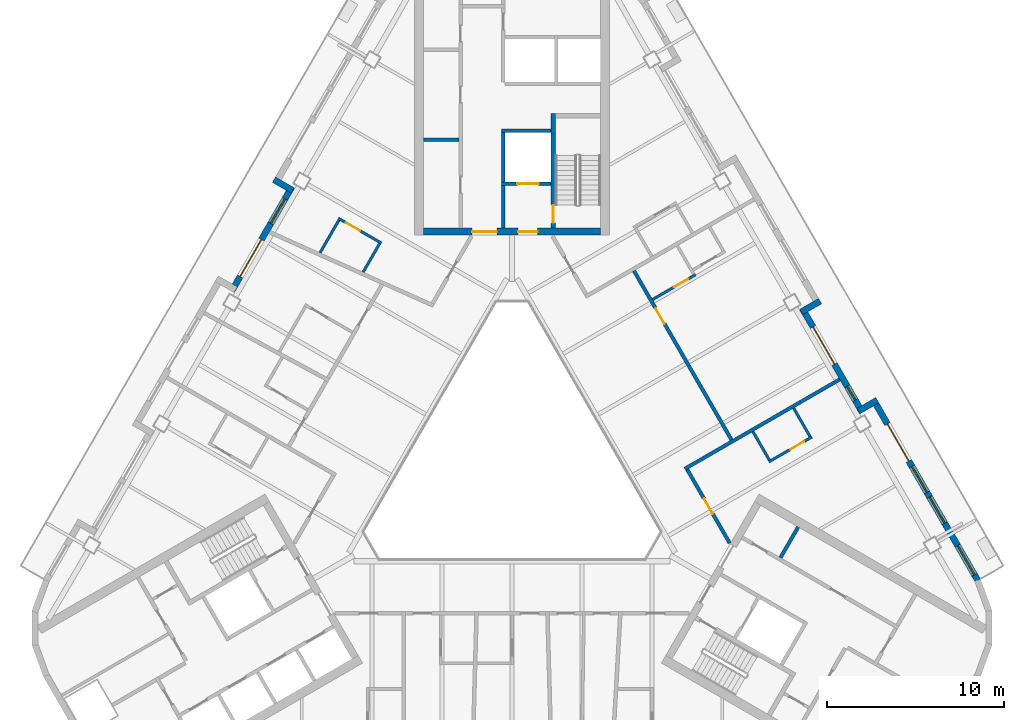
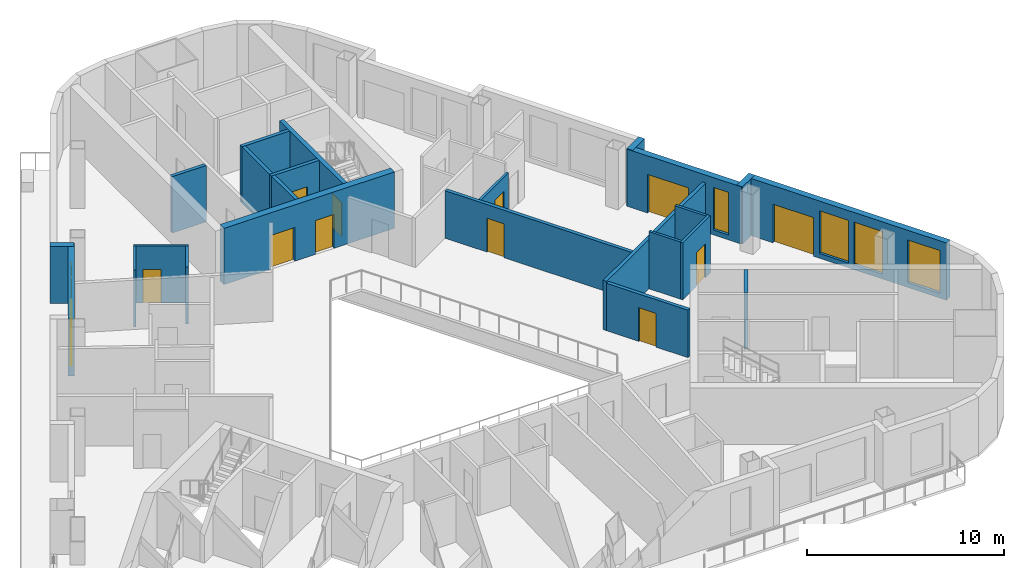
# One storey, part 6 of 14: 24 walls, 12 doors, 5 windows, 17 openings.
"""IFC4 building model written with IfcOpenShell, lengths in metres."""

from ifc_helpers import new_model, si_unit, direction, frame, frame_2d, origin, place, context, subcontext, project, spatial, rectangle, extrude, material, layer, layer_set, type_object, element, fill, save


model = new_model("IFC4")

# Units and contexts
model_context = context("Model", 3, precision=1e-05, world=origin(), true_north=direction((0.0, 1.0)))
body_context = subcontext(model_context, "Body", "Model", "MODEL_VIEW")
ifc_project = project(units=[si_unit("LENGTHUNIT", "METRE"), si_unit("AREAUNIT", "SQUARE_METRE"), si_unit("VOLUMEUNIT", "CUBIC_METRE"), si_unit("PLANEANGLEUNIT", "RADIAN"), si_unit("MASSUNIT", "GRAM", prefix="KILO")], contexts=[model_context])

# Site, building, storey
site_placement = place(None, origin())
site = spatial("IfcSite", under=ifc_project, at=site_placement, CompositionType="ELEMENT")
building_placement = place(site_placement, origin())
building = spatial("IfcBuilding", under=site, at=building_placement, Name="Apuvela Tower Hotel", CompositionType="ELEMENT")
storey_placement = place(building_placement, frame((0.0, 0.0, 216.89990234375)))
storey = spatial("IfcBuildingStorey", under=building, at=storey_placement, Name="L53", CompositionType="ELEMENT", Elevation=216.89990234375)

# Wall, openings, doors
ifc_material_1 = material(Name="Concrete C50/60", Category="concrete")
ifc_layer_1 = layer(ifc_material_1, 0.39990234375)
ifc_layer_set_1 = layer_set([ifc_layer_1], Name="COR-WALL-CORE-400")
wall_type_1 = type_object("IfcWallType", Name="COR-WALL-CORE-400", PredefinedType="SHEAR", material=ifc_layer_set_1)
wall_1_placement = place(storey_placement, frame((5.0, 13.10009765625, 0.0), z_axis=(0.0, 0.0, 1.0), x_axis=(-1.0, 0.0, 0.0)))
wall_1 = element("IfcWall", 1, at=wall_1_placement, inside=storey, type_object=wall_type_1, Name="Core wall N", PredefinedType="SHEAR", context=body_context, shape_type="SweptSolid", body=[
    extrude(rectangle(XDim=10.0, YDim=0.39990234375, at=frame_2d((5.0, 0.0))), origin(), (0.0, 0.0, 1.0), 3.5),
])
opening_1_placement = place(wall_1_placement, frame((3.550048828125, 0.0, 0.0)))
opening_1 = element("IfcOpeningElement", 2, at=opening_1_placement, cuts=wall_1, Name="Opening N-FD", PredefinedType="OPENING", context=body_context, shape_type="SweptSolid", body=[
    extrude(rectangle(XDim=1.10009765625, YDim=2.10009765625, at=frame_2d((0.550048828125, 1.050048828125))), frame((0.0, 0.2099609375, 0.0), z_axis=(0.0, -1.0, 0.0), x_axis=(1.0, 0.0, 0.0)), (0.0, 0.0, 1.0), 0.419921875),
])
opening_2_placement = place(wall_1_placement, frame((5.85009765625, 0.0, 0.0)))
opening_2 = element("IfcOpeningElement", 3, at=opening_2_placement, cuts=wall_1, Name="Opening N-GD", PredefinedType="OPENING", context=body_context, shape_type="SweptSolid", body=[
    extrude(rectangle(XDim=1.39990234375, YDim=2.10009765625, at=frame_2d((0.699951171875, 1.050048828125))), frame((0.0, 0.2099609375, 0.0), z_axis=(0.0, -1.0, 0.0), x_axis=(1.0, 0.0, 0.0)), (0.0, 0.0, 1.0), 0.419921875),
])
ifc_material_2 = material(Name="Steel fire door, powder coated", Category="steel")
door_type_1 = type_object("IfcDoorType", Name="COR-FD-1100", OperationType="NOTDEFINED", PredefinedType="DOOR", material=ifc_material_2)
door_1_placement = place(opening_1_placement, frame((1.10009765625, 0.0, 0.0), z_axis=(0.0, 0.0, 1.0), x_axis=(-1.0, 0.0, 0.0)))
door_1 = element("IfcDoor", 4, at=door_1_placement, inside=storey, type_object=door_type_1, Name="Firefighting lobby door N-FD", OperationType="SINGLE_SWING_LEFT", OverallHeight=2.10009765625, OverallWidth=1.10009765625, PredefinedType="DOOR", context=body_context, shape_type="SweptSolid", body=[
    extrude(rectangle(XDim=1.10009765625, YDim=2.10009765625, at=frame_2d((0.550048828125, 1.050048828125))), frame((0.0, 0.02490234375, 0.0), z_axis=(0.0, -1.0, 0.0), x_axis=(1.0, 0.0, 0.0)), (0.0, 0.0, 1.0), 0.050048828125),
])
fill(opening_1, door_1)
ifc_material_3 = material(Name="Glazed steel fire door", Category="steel")
door_type_2 = type_object("IfcDoorType", Name="COR-GD-1400", OperationType="DOUBLE_DOOR_SINGLE_SWING", PredefinedType="DOOR", material=ifc_material_3)
door_2_placement = place(opening_2_placement, frame((1.39990234375, 0.0, 0.0), z_axis=(0.0, 0.0, 1.0), x_axis=(-1.0, 0.0, 0.0)))
door_2 = element("IfcDoor", 5, at=door_2_placement, inside=storey, type_object=door_type_2, Name="Lift lobby door N-GD", OperationType="DOUBLE_DOOR_SINGLE_SWING", OverallHeight=2.10009765625, OverallWidth=1.39990234375, PredefinedType="DOOR", context=body_context, shape_type="SweptSolid", body=[
    extrude(rectangle(XDim=1.39990234375, YDim=2.10009765625, at=frame_2d((0.699951171875, 1.050048828125))), frame((0.0, 0.02490234375, 0.0), z_axis=(0.0, -1.0, 0.0), x_axis=(1.0, 0.0, 0.0)), (0.0, 0.0, 1.0), 0.050048828125),
])
fill(opening_2, door_2)

# Wall
ifc_layer_2 = layer(ifc_material_1, 0.199951171875)
ifc_layer_set_2 = layer_set([ifc_layer_2], Name="COR-WALL-SHAFT-200")
wall_type_2 = type_object("IfcWallType", Name="COR-WALL-SHAFT-200", PredefinedType="SHEAR", material=ifc_layer_set_2)
wall_2_placement = place(storey_placement, frame((2.199951171875, 18.800048828125, 0.0), z_axis=(0.0, 0.0, 1.0), x_axis=(-1.0, 0.0, 0.0)))
element("IfcWall", 6, at=wall_2_placement, inside=storey, type_object=wall_type_2, Name="Shaft wall N", PredefinedType="SHEAR", context=body_context, shape_type="SweptSolid", body=[
    extrude(rectangle(XDim=2.800048828125, YDim=0.199951171875, at=frame_2d((1.39990234375, 0.0))), origin(), (0.0, 0.0, 1.0), 3.5),
])

# Wall, opening, door
wall_3_placement = place(storey_placement, frame((2.199951171875, 15.800048828125, 0.0), z_axis=(0.0, 0.0, 1.0), x_axis=(-1.0, 0.0, 0.0)))
wall_3 = element("IfcWall", 7, at=wall_3_placement, inside=storey, type_object=wall_type_2, Name="Shaft wall N", PredefinedType="SHEAR", context=body_context, shape_type="SweptSolid", body=[
    extrude(rectangle(XDim=2.800048828125, YDim=0.199951171875, at=frame_2d((1.39990234375, 0.0))), origin(), (0.0, 0.0, 1.0), 3.5),
])
opening_3_placement = place(wall_3_placement, frame((0.699951171875, 0.0, 0.0)))
opening_3 = element("IfcOpeningElement", 8, at=opening_3_placement, cuts=wall_3, Name="Opening N-LD-FS1", PredefinedType="OPENING", context=body_context, shape_type="SweptSolid", body=[
    extrude(rectangle(XDim=1.199951171875, YDim=2.10009765625, at=frame_2d((0.60009765625, 1.050048828125))), frame((0.0, 0.10986328125, 0.0), z_axis=(0.0, -1.0, 0.0), x_axis=(1.0, 0.0, 0.0)), (0.0, 0.0, 1.0), 0.219970703125),
])
ifc_material_4 = material(Name="Stainless steel lift landing door", Category="steel")
door_type_3 = type_object("IfcDoorType", Name="COR-LD-1200", OperationType="DOUBLE_DOOR_SLIDING", PredefinedType="DOOR", material=ifc_material_4)
door_3_placement = place(opening_3_placement, origin())
door_3 = element("IfcDoor", 9, at=door_3_placement, inside=storey, type_object=door_type_3, Name="Lift landing door N-LD-FS1", OperationType="DOUBLE_DOOR_SLIDING", OverallHeight=2.10009765625, OverallWidth=1.199951171875, PredefinedType="DOOR", context=body_context, shape_type="SweptSolid", body=[
    extrude(rectangle(XDim=1.199951171875, YDim=2.10009765625, at=frame_2d((0.60009765625, 1.050048828125))), frame((0.0, 0.02490234375, 0.0), z_axis=(0.0, -1.0, 0.0), x_axis=(1.0, 0.0, 0.0)), (0.0, 0.0, 1.0), 0.050048828125),
])
fill(opening_3, door_3)

# Walls
wall_4_placement = place(storey_placement, frame((-0.5, 15.89990234375, 0.0), z_axis=(0.0, 0.0, 1.0), x_axis=(0.0, 1.0, 0.0)))
element("IfcWall", 10, at=wall_4_placement, inside=storey, type_object=wall_type_2, Name="Shaft wall N", PredefinedType="SHEAR", context=body_context, shape_type="SweptSolid", body=[
    extrude(rectangle(XDim=2.800048828125, YDim=0.199951171875, at=frame_2d((1.39990234375, 0.0))), origin(), (0.0, 0.0, 1.0), 3.5),
])
wall_5_placement = place(storey_placement, frame((-0.5, 13.300048828125, 0.0), z_axis=(0.0, 0.0, 1.0), x_axis=(0.0, 1.0, 0.0)))
element("IfcWall", 11, at=wall_5_placement, inside=storey, type_object=wall_type_2, Name="Shaft wall N", PredefinedType="SHEAR", context=body_context, shape_type="SweptSolid", body=[
    extrude(rectangle(XDim=2.39990234375, YDim=0.199951171875, at=frame_2d((1.199951171875, 0.0))), origin(), (0.0, 0.0, 1.0), 3.5),
])
for number, where, z_axis, x_axis, name in (
    (12, (-3.0, 18.280029296875, 0.0), (0.0, 0.0, 1.0), (-1.0, 0.0, 0.0), "Shaft wall N"),
    (13, (15.131103515625, -5.27197265625, 0.0), (0.0, 0.0, 1.0), (0.499972520799, 0.866041268327, 0.0), "Shaft wall SE"),
):
    element("IfcWall", number, at=place(storey_placement, frame(where, z_axis=z_axis, x_axis=x_axis)), inside=storey, type_object=wall_type_2, Name=name, PredefinedType="SHEAR", context=body_context, shape_type="SweptSolid", body=[
        extrude(rectangle(XDim=2.0, YDim=0.199951171875, at=frame_2d((1.0, 0.0))), origin(), (0.0, 0.0, 1.0), 3.5),
    ])

# Wall, opening, door
ifc_layer_3 = layer(ifc_material_1, 0.25)
ifc_layer_set_3 = layer_set([ifc_layer_3], Name="COR-WALL-STAIR-250")
wall_type_3 = type_object("IfcWallType", Name="COR-WALL-STAIR-250", PredefinedType="SHEAR", material=ifc_layer_set_3)
wall_6_placement = place(storey_placement, frame((2.324951171875, 13.300048828125, 0.0), z_axis=(0.0, 0.0, 1.0), x_axis=(0.0, 1.0, 0.0)))
wall_6 = element("IfcWall", 14, at=wall_6_placement, inside=storey, type_object=wall_type_3, Name="Stair wall N", PredefinedType="SHEAR", context=body_context, shape_type="SweptSolid", body=[
    extrude(rectangle(XDim=6.449951171875, YDim=0.25, at=frame_2d((3.22509765625, 0.0))), origin(), (0.0, 0.0, 1.0), 3.5),
])
opening_4_placement = place(wall_6_placement, frame((0.300048828125, 0.0, 0.0)))
opening_4 = element("IfcOpeningElement", 15, at=opening_4_placement, cuts=wall_6, Name="Opening N-SD", PredefinedType="OPENING", context=body_context, shape_type="SweptSolid", body=[
    extrude(rectangle(XDim=1.0, YDim=2.10009765625, at=frame_2d((0.5, 1.050048828125))), frame((0.0, 0.135009765625, 0.0), z_axis=(0.0, -1.0, 0.0), x_axis=(1.0, 0.0, 0.0)), (0.0, 0.0, 1.0), 0.27001953125),
])
door_type_4 = type_object("IfcDoorType", Name="COR-SD-1000", OperationType="NOTDEFINED", PredefinedType="DOOR", material=ifc_material_2)
door_4_placement = place(opening_4_placement, frame((1.0, 0.0, 0.0), z_axis=(0.0, 0.0, 1.0), x_axis=(-1.0, 0.0, 0.0)))
door_4 = element("IfcDoor", 16, at=door_4_placement, inside=storey, type_object=door_type_4, Name="Stair door N-SD", OperationType="SINGLE_SWING_LEFT", OverallHeight=2.10009765625, OverallWidth=1.0, PredefinedType="DOOR", context=body_context, shape_type="SweptSolid", body=[
    extrude(rectangle(XDim=1.0, YDim=2.10009765625, at=frame_2d((0.5, 1.050048828125))), frame((0.0, 0.02490234375, 0.0), z_axis=(0.0, -1.0, 0.0), x_axis=(1.0, 0.0, 0.0)), (0.0, 0.0, 1.0), 0.050048828125),
])
fill(opening_4, door_4)

# Wall
ifc_material_5 = material(Name="Concrete C40/50, dark pigmented precast panel", Category="concrete")
ifc_layer_4 = layer(ifc_material_5, 0.35009765625)
ifc_layer_set_4 = layer_set([ifc_layer_4], Name="ENV-WALL-350")
wall_type_4 = type_object("IfcWallType", Name="ENV-WALL-350", PredefinedType="SOLIDWALL", material=ifc_layer_set_4)
wall_7_placement = place(storey_placement, frame((-13.41259765625, 16.02880859375, 0.0), z_axis=(0.0, 0.0, 1.0), x_axis=(0.866005645448, -0.500034220881, 0.0)))
element("IfcWall", 17, at=wall_7_placement, inside=storey, type_object=wall_type_4, Name="External wall L53-02", PredefinedType="SOLIDWALL", context=body_context, shape_type="SweptSolid", body=[
    extrude(rectangle(XDim=1.22021484375, YDim=0.35009765625, at=frame_2d((0.610107421875, 0.0))), origin(), (0.0, 0.0, 1.0), 3.550048828125),
])

# Wall, openings, door, window
wall_8_placement = place(storey_placement, frame((-12.408935546875, 15.616943359375, 0.0), z_axis=(0.0, 0.0, 1.0), x_axis=(-0.500003597184, -0.866023326939, 0.0)))
wall_8 = element("IfcWall", 18, at=wall_8_placement, inside=storey, type_object=wall_type_4, Name="External wall L53-03", PredefinedType="SOLIDWALL", context=body_context, shape_type="SweptSolid", body=[
    extrude(rectangle(XDim=6.740234375, YDim=0.35009765625, at=frame_2d((3.3701171875, 0.0))), origin(), (0.0, 0.0, 1.0), 3.550048828125),
])
opening_5_placement = place(wall_8_placement, frame((0.77001953125, 0.0, 0.300048828125)))
opening_5 = element("IfcOpeningElement", 19, at=opening_5_placement, cuts=wall_8, Name="Opening WN16", PredefinedType="OPENING", context=body_context, shape_type="SweptSolid", body=[
    extrude(rectangle(XDim=1.60009765625, YDim=2.64990234375, at=frame_2d((0.800048828125, 1.324951171875))), frame((0.0, 0.18505859375, 0.0), z_axis=(0.0, -1.0, 0.0), x_axis=(1.0, 0.0, 0.0)), (0.0, 0.0, 1.0), 0.3701171875),
])
opening_6_placement = place(wall_8_placement, frame((3.423828125, 0.0, 0.0)))
opening_6 = element("IfcOpeningElement", 20, at=opening_6_placement, cuts=wall_8, Name="Opening BD24", PredefinedType="OPENING", context=body_context, shape_type="SweptSolid", body=[
    extrude(rectangle(XDim=2.39990234375, YDim=2.39990234375, at=frame_2d((1.199951171875, 1.199951171875))), frame((0.0, 0.18505859375, 0.0), z_axis=(0.0, -1.0, 0.0), x_axis=(1.0, 0.0, 0.0)), (0.0, 0.0, 1.0), 0.3701171875),
])
ifc_material_6 = material(Name="Aluminium 6063-T6, dark bronze anodised frame with dark tinted laminated glass", Category="aluminium")
door_type_5 = type_object("IfcDoorType", Name="ENV-DOOR-BALCONY-2400x2400", OperationType="SLIDING_TO_LEFT", PredefinedType="DOOR", material=ifc_material_6)
door_5_placement = place(opening_6_placement, frame((2.39990234375, 0.0, 0.0), z_axis=(0.0, 0.0, 1.0), x_axis=(-1.0, 0.0, 0.0)))
door_5 = element("IfcDoor", 21, at=door_5_placement, inside=storey, type_object=door_type_5, Name="Balcony door BD24", OperationType="SLIDING_TO_LEFT", OverallHeight=2.39990234375, OverallWidth=2.39990234375, PredefinedType="DOOR", context=body_context, shape_type="SweptSolid", body=[
    extrude(rectangle(XDim=2.39990234375, YDim=2.39990234375, at=frame_2d((1.199951171875, 1.199951171875))), frame((0.0, 0.02490234375, 0.0), z_axis=(0.0, -1.0, 0.0), x_axis=(1.0, 0.0, 0.0)), (0.0, 0.0, 1.0), 0.050048828125),
])
fill(opening_6, door_5)
ifc_material_7 = material(Name="Glass, dark tinted laminated insulated glazing unit", Category="glass")
window_type_1 = type_object("IfcWindowType", Name="ENV-WIN-1600x2650", PartitioningType="SINGLE_PANEL", PredefinedType="WINDOW", material=ifc_material_7)
window_1_placement = place(opening_5_placement, origin())
window_1 = element("IfcWindow", 22, at=window_1_placement, inside=storey, type_object=window_type_1, Name="Window WN16", OverallHeight=2.64990234375, OverallWidth=1.60009765625, PartitioningType="SINGLE_PANEL", PredefinedType="WINDOW", context=body_context, shape_type="SweptSolid", body=[
    extrude(rectangle(XDim=1.60009765625, YDim=2.64990234375, at=frame_2d((0.800048828125, 1.324951171875))), frame((0.0, 0.030029296875, 0.0), z_axis=(0.0, -1.0, 0.0), x_axis=(1.0, 0.0, 0.0)), (0.0, 0.0, 1.0), 0.06005859375),
])
fill(opening_5, window_1)

# Wall, openings, door, windows
wall_9_placement = place(storey_placement, frame((26.256591796875, -6.5673828125, 0.0), z_axis=(0.0, 0.0, 1.0), x_axis=(-0.500023526245, 0.866011820475, 0.0)))
wall_9 = element("IfcWall", 23, at=wall_9_placement, inside=storey, type_object=wall_type_4, Name="External wall L53-33", PredefinedType="SOLIDWALL", context=body_context, shape_type="SweptSolid", body=[
    extrude(rectangle(XDim=11.81591796875, YDim=0.35009765625, at=frame_2d((5.907958984375, 0.0))), origin(), (0.0, 0.0, 1.0), 3.550048828125),
])
opening_7_placement = place(wall_9_placement, frame((0.380126953125, 0.0, 0.300048828125)))
opening_7 = element("IfcOpeningElement", 24, at=opening_7_placement, cuts=wall_9, Name="Opening WN19", PredefinedType="OPENING", context=body_context, shape_type="SweptSolid", body=[
    extrude(rectangle(XDim=1.89990234375, YDim=2.64990234375, at=frame_2d((0.949951171875, 1.324951171875))), frame((0.0, 0.18505859375, 0.0), z_axis=(0.0, -1.0, 0.0), x_axis=(1.0, 0.0, 0.0)), (0.0, 0.0, 1.0), 0.3701171875),
])
opening_8_placement = place(wall_9_placement, frame((7.791015625, 0.0, 0.0)))
opening_8 = element("IfcOpeningElement", 25, at=opening_8_placement, cuts=wall_9, Name="Opening BD24", PredefinedType="OPENING", context=body_context, shape_type="SweptSolid", body=[
    extrude(rectangle(XDim=2.39990234375, YDim=2.39990234375, at=frame_2d((1.199951171875, 1.199951171875))), frame((0.0, 0.18505859375, 0.0), z_axis=(0.0, -1.0, 0.0), x_axis=(1.0, 0.0, 0.0)), (0.0, 0.0, 1.0), 0.3701171875),
])
opening_9_placement = place(wall_9_placement, frame((3.74072265625, 0.0, 0.300048828125)))
opening_9 = element("IfcOpeningElement", 26, at=opening_9_placement, cuts=wall_9, Name="Opening WN17", PredefinedType="OPENING", context=body_context, shape_type="SweptSolid", body=[
    extrude(rectangle(XDim=1.699951171875, YDim=2.64990234375, at=frame_2d((0.85009765625, 1.324951171875))), frame((0.0, 0.18505859375, 0.0), z_axis=(0.0, -1.0, 0.0), x_axis=(1.0, 0.0, 0.0)), (0.0, 0.0, 1.0), 0.3701171875),
])
opening_10_placement = place(wall_9_placement, frame((5.74072265625, 0.0, 0.300048828125)))
opening_10 = element("IfcOpeningElement", 27, at=opening_10_placement, cuts=wall_9, Name="Opening WN17", PredefinedType="OPENING", context=body_context, shape_type="SweptSolid", body=[
    extrude(rectangle(XDim=1.699951171875, YDim=2.64990234375, at=frame_2d((0.85009765625, 1.324951171875))), frame((0.0, 0.18505859375, 0.0), z_axis=(0.0, -1.0, 0.0), x_axis=(1.0, 0.0, 0.0)), (0.0, 0.0, 1.0), 0.3701171875),
])
door_6_placement = place(opening_8_placement, frame((2.39990234375, 0.0, 0.0), z_axis=(0.0, 0.0, 1.0), x_axis=(-1.0, 0.0, 0.0)))
door_6 = element("IfcDoor", 28, at=door_6_placement, inside=storey, type_object=door_type_5, Name="Balcony door BD24", OperationType="SLIDING_TO_LEFT", OverallHeight=2.39990234375, OverallWidth=2.39990234375, PredefinedType="DOOR", context=body_context, shape_type="SweptSolid", body=[
    extrude(rectangle(XDim=2.39990234375, YDim=2.39990234375, at=frame_2d((1.199951171875, 1.199951171875))), frame((0.0, 0.02490234375, 0.0), z_axis=(0.0, -1.0, 0.0), x_axis=(1.0, 0.0, 0.0)), (0.0, 0.0, 1.0), 0.050048828125),
])
fill(opening_8, door_6)
window_type_2 = type_object("IfcWindowType", Name="ENV-WIN-1700x2650", PartitioningType="SINGLE_PANEL", PredefinedType="WINDOW", material=ifc_material_7)
window_2_placement = place(opening_9_placement, origin())
window_2 = element("IfcWindow", 29, at=window_2_placement, inside=storey, type_object=window_type_2, Name="Window WN17", OverallHeight=2.64990234375, OverallWidth=1.699951171875, PartitioningType="SINGLE_PANEL", PredefinedType="WINDOW", context=body_context, shape_type="SweptSolid", body=[
    extrude(rectangle(XDim=1.699951171875, YDim=2.64990234375, at=frame_2d((0.85009765625, 1.324951171875))), frame((0.0, 0.030029296875, 0.0), z_axis=(0.0, -1.0, 0.0), x_axis=(1.0, 0.0, 0.0)), (0.0, 0.0, 1.0), 0.06005859375),
])
fill(opening_9, window_2)
window_3_placement = place(opening_10_placement, origin())
window_3 = element("IfcWindow", 30, at=window_3_placement, inside=storey, type_object=window_type_2, Name="Window WN17", OverallHeight=2.64990234375, OverallWidth=1.699951171875, PartitioningType="SINGLE_PANEL", PredefinedType="WINDOW", context=body_context, shape_type="SweptSolid", body=[
    extrude(rectangle(XDim=1.699951171875, YDim=2.64990234375, at=frame_2d((0.85009765625, 1.324951171875))), frame((0.0, 0.030029296875, 0.0), z_axis=(0.0, -1.0, 0.0), x_axis=(1.0, 0.0, 0.0)), (0.0, 0.0, 1.0), 0.06005859375),
])
fill(opening_10, window_3)
window_type_3 = type_object("IfcWindowType", Name="ENV-WIN-1900x2650", PartitioningType="SINGLE_PANEL", PredefinedType="WINDOW", material=ifc_material_7)
window_4_placement = place(opening_7_placement, origin())
window_4 = element("IfcWindow", 31, at=window_4_placement, inside=storey, type_object=window_type_3, Name="Window WN19", OverallHeight=2.64990234375, OverallWidth=1.89990234375, PartitioningType="SINGLE_PANEL", PredefinedType="WINDOW", context=body_context, shape_type="SweptSolid", body=[
    extrude(rectangle(XDim=1.89990234375, YDim=2.64990234375, at=frame_2d((0.949951171875, 1.324951171875))), frame((0.0, 0.030029296875, 0.0), z_axis=(0.0, -1.0, 0.0), x_axis=(1.0, 0.0, 0.0)), (0.0, 0.0, 1.0), 0.06005859375),
])
fill(opening_7, window_4)

# Wall
wall_10_placement = place(storey_placement, frame((20.587646484375, 3.601318359375, 0.0), z_axis=(0.0, 0.0, 1.0), x_axis=(-0.866005645448, -0.500034220881, 0.0)))
element("IfcWall", 32, at=wall_10_placement, inside=storey, type_object=wall_type_4, Name="External wall L53-34", PredefinedType="SOLIDWALL", context=body_context, shape_type="SweptSolid", body=[
    extrude(rectangle(XDim=1.22021484375, YDim=0.35009765625, at=frame_2d((0.610107421875, 0.0))), origin(), (0.0, 0.0, 1.0), 3.550048828125),
])

# Wall, openings, door, window
wall_11_placement = place(storey_placement, frame((19.72900390625, 2.93798828125, 0.0), z_axis=(0.0, 0.0, 1.0), x_axis=(-0.499976430342, 0.866039011305, 0.0)))
wall_11 = element("IfcWall", 33, at=wall_11_placement, inside=storey, type_object=wall_type_4, Name="External wall L53-35", PredefinedType="SOLIDWALL", context=body_context, shape_type="SweptSolid", body=[
    extrude(rectangle(XDim=6.739990234375, YDim=0.35009765625, at=frame_2d((3.3701171875, 0.0))), origin(), (0.0, 0.0, 1.0), 3.550048828125),
])
opening_11_placement = place(wall_11_placement, frame((0.77001953125, 0.0, 0.300048828125)))
opening_11 = element("IfcOpeningElement", 34, at=opening_11_placement, cuts=wall_11, Name="Opening WN09", PredefinedType="OPENING", context=body_context, shape_type="SweptSolid", body=[
    extrude(rectangle(XDim=0.89990234375, YDim=2.64990234375, at=frame_2d((0.449951171875, 1.324951171875))), frame((0.0, 0.18505859375, 0.0), z_axis=(0.0, -1.0, 0.0), x_axis=(1.0, 0.0, 0.0)), (0.0, 0.0, 1.0), 0.3701171875),
])
opening_12_placement = place(wall_11_placement, frame((3.1201171875, 0.0, 0.0)))
opening_12 = element("IfcOpeningElement", 35, at=opening_12_placement, cuts=wall_11, Name="Opening BD24", PredefinedType="OPENING", context=body_context, shape_type="SweptSolid", body=[
    extrude(rectangle(XDim=2.39990234375, YDim=2.39990234375, at=frame_2d((1.199951171875, 1.199951171875))), frame((0.0, 0.18505859375, 0.0), z_axis=(0.0, -1.0, 0.0), x_axis=(1.0, 0.0, 0.0)), (0.0, 0.0, 1.0), 0.3701171875),
])
door_7_placement = place(opening_12_placement, frame((2.39990234375, 0.0, 0.0), z_axis=(0.0, 0.0, 1.0), x_axis=(-1.0, 0.0, 0.0)))
door_7 = element("IfcDoor", 36, at=door_7_placement, inside=storey, type_object=door_type_5, Name="Balcony door BD24", OperationType="SLIDING_TO_LEFT", OverallHeight=2.39990234375, OverallWidth=2.39990234375, PredefinedType="DOOR", context=body_context, shape_type="SweptSolid", body=[
    extrude(rectangle(XDim=2.39990234375, YDim=2.39990234375, at=frame_2d((1.199951171875, 1.199951171875))), frame((0.0, 0.02490234375, 0.0), z_axis=(0.0, -1.0, 0.0), x_axis=(1.0, 0.0, 0.0)), (0.0, 0.0, 1.0), 0.050048828125),
])
fill(opening_12, door_7)
window_type_4 = type_object("IfcWindowType", Name="ENV-WIN-900x2650", PartitioningType="SINGLE_PANEL", PredefinedType="WINDOW", material=ifc_material_7)
window_5_placement = place(opening_11_placement, origin())
window_5 = element("IfcWindow", 37, at=window_5_placement, inside=storey, type_object=window_type_4, Name="Window WN09", OverallHeight=2.64990234375, OverallWidth=0.89990234375, PartitioningType="SINGLE_PANEL", PredefinedType="WINDOW", context=body_context, shape_type="SweptSolid", body=[
    extrude(rectangle(XDim=0.89990234375, YDim=2.64990234375, at=frame_2d((0.449951171875, 1.324951171875))), frame((0.0, 0.030029296875, 0.0), z_axis=(0.0, -1.0, 0.0), x_axis=(1.0, 0.0, 0.0)), (0.0, 0.0, 1.0), 0.06005859375),
])
fill(opening_11, window_5)

# Walls
wall_12_placement = place(storey_placement, frame((16.305908203125, 8.5771484375, 0.0), z_axis=(0.0, 0.0, 1.0), x_axis=(0.866092288191, 0.499884134912, 0.0)))
element("IfcWall", 38, at=wall_12_placement, inside=storey, type_object=wall_type_4, Name="External wall L53-36", PredefinedType="SOLIDWALL", context=body_context, shape_type="SweptSolid", body=[
    extrude(rectangle(XDim=1.219970703125, YDim=0.35009765625, at=frame_2d((0.60986328125, 0.0))), origin(), (0.0, 0.0, 1.0), 3.550048828125),
])
ifc_material_8 = material(Name="Gypsum board partition on twin steel stud", Category="steel")
ifc_layer_5 = layer(ifc_material_8, 0.199951171875)
ifc_layer_set_5 = layer_set([ifc_layer_5], Name="GST-PW1")
wall_type_5 = type_object("IfcWallType", Name="GST-PW1", PredefinedType="PARTITIONING", material=ifc_layer_set_5)
wall_13_placement = place(storey_placement, frame((18.467529296875, 4.773193359375, 0.0), z_axis=(0.0, 0.0, 1.0), x_axis=(-0.866033125095, -0.499986626058, 0.0)))
element("IfcWall", 39, at=wall_13_placement, inside=storey, type_object=wall_type_5, Name="L53 partition 05", PredefinedType="PARTITIONING", context=body_context, shape_type="SweptSolid", body=[
    extrude(rectangle(XDim=10.079833984375, YDim=0.199951171875, at=frame_2d((5.0400390625, 0.0))), origin(), (0.0, 0.0, 1.0), 3.06005859375),
])

# Wall, opening, door
ifc_material_9 = material(Name="Gypsum board corridor wall on twin steel stud, acoustic", Category="steel")
ifc_layer_6 = layer(ifc_material_9, 0.199951171875)
ifc_layer_set_6 = layer_set([ifc_layer_6], Name="GST-PW2")
wall_type_6 = type_object("IfcWallType", Name="GST-PW2", PredefinedType="PARTITIONING", material=ifc_layer_set_6)
wall_14_placement = place(storey_placement, frame((9.87451171875, -0.30322265625, 0.0), z_axis=(0.0, 0.0, 1.0), x_axis=(0.500026984917, -0.866009823475, 0.0)))
wall_14 = element("IfcWall", 40, at=wall_14_placement, inside=storey, type_object=wall_type_6, Name="L53 partition 27", PredefinedType="PARTITIONING", context=body_context, shape_type="SweptSolid", body=[
    extrude(rectangle(XDim=4.788330078125, YDim=0.199951171875, at=frame_2d((2.39404296875, 0.0))), origin(), (0.0, 0.0, 1.0), 2.9501953125),
])
opening_13_placement = place(wall_14_placement, frame((1.89404296875, 0.0, 0.0)))
opening_13 = element("IfcOpeningElement", 41, at=opening_13_placement, cuts=wall_14, Name="Opening GD21-12", PredefinedType="OPENING", context=body_context, shape_type="SweptSolid", body=[
    extrude(rectangle(XDim=1.0, YDim=2.10009765625, at=frame_2d((0.5, 1.050048828125))), frame((0.0, 0.10986328125, 0.0), z_axis=(0.0, -1.0, 0.0), x_axis=(1.0, 0.0, 0.0)), (0.0, 0.0, 1.0), 0.219970703125),
])
ifc_material_10 = material(Name="Timber door leaf in steel frame", Category="steel")
door_type_6 = type_object("IfcDoorType", Name="GST-D1", OperationType="NOTDEFINED", PredefinedType="DOOR", material=ifc_material_10)
door_8_placement = place(opening_13_placement, origin())
door_8 = element("IfcDoor", 42, at=door_8_placement, inside=storey, type_object=door_type_6, Name="Door L53-12", OperationType="SINGLE_SWING_LEFT", OverallHeight=2.10009765625, OverallWidth=1.0, PredefinedType="DOOR", context=body_context, shape_type="SweptSolid", body=[
    extrude(rectangle(XDim=1.0, YDim=2.10009765625, at=frame_2d((0.5, 1.050048828125))), frame((0.0, 0.02490234375, 0.0), z_axis=(0.0, -1.0, 0.0), x_axis=(1.0, 0.0, 0.0)), (0.0, 0.0, 1.0), 0.050048828125),
])
fill(opening_13, door_8)

wall_15_placement = place(storey_placement, frame((6.872802734375, 10.896240234375, 0.0), z_axis=(0.0, 0.0, 1.0), x_axis=(0.499996545922, -0.866027397988, 0.0)))
wall_15 = element("IfcWall", 43, at=wall_15_placement, inside=storey, type_object=wall_type_6, Name="L53 partition 31", PredefinedType="PARTITIONING", context=body_context, shape_type="SweptSolid", body=[
    extrude(rectangle(XDim=11.0, YDim=0.199951171875, at=frame_2d((5.5, 0.0))), origin(), (0.0, 0.0, 1.0), 2.9501953125),
])
opening_14_placement = place(wall_15_placement, frame((2.449951171875, 0.0, 0.0)))
opening_14 = element("IfcOpeningElement", 44, at=opening_14_placement, cuts=wall_15, Name="Opening GD21-15", PredefinedType="OPENING", context=body_context, shape_type="SweptSolid", body=[
    extrude(rectangle(XDim=1.0, YDim=2.10009765625, at=frame_2d((0.5, 1.050048828125))), frame((0.0, 0.10986328125, 0.0), z_axis=(0.0, -1.0, 0.0), x_axis=(1.0, 0.0, 0.0)), (0.0, 0.0, 1.0), 0.219970703125),
])
door_9_placement = place(opening_14_placement, origin())
door_9 = element("IfcDoor", 45, at=door_9_placement, inside=storey, type_object=door_type_6, Name="Door L53-15", OperationType="SINGLE_SWING_RIGHT", OverallHeight=2.10009765625, OverallWidth=1.0, PredefinedType="DOOR", context=body_context, shape_type="SweptSolid", body=[
    extrude(rectangle(XDim=1.0, YDim=2.10009765625, at=frame_2d((0.5, 1.050048828125))), frame((0.0, 0.02490234375, 0.0), z_axis=(0.0, -1.0, 0.0), x_axis=(1.0, 0.0, 0.0)), (0.0, 0.0, 1.0), 0.050048828125),
])
fill(opening_14, door_9)

ifc_material_11 = material(Name="Moisture-resistant gypsum board wet wall on steel stud", Category="steel")
ifc_layer_7 = layer(ifc_material_11, 0.14990234375)
ifc_layer_set_7 = layer_set([ifc_layer_7], Name="GST-PW3")
wall_type_7 = type_object("IfcWallType", Name="GST-PW3", PredefinedType="PARTITIONING", material=ifc_layer_set_7)
wall_16_placement = place(storey_placement, frame((14.474365234375, 0.129638671875, 0.0), z_axis=(0.0, 0.0, 1.0), x_axis=(0.866056369097, 0.49994636267, 0.0)))
wall_16 = element("IfcWall", 46, at=wall_16_placement, inside=storey, type_object=wall_type_7, Name="L53 partition 28", PredefinedType="PARTITIONING", context=body_context, shape_type="SweptSolid", body=[
    extrude(rectangle(XDim=2.800048828125, YDim=0.14990234375, at=frame_2d((1.39990234375, 0.0))), origin(), (0.0, 0.0, 1.0), 3.550048828125),
])
opening_15_placement = place(wall_16_placement, frame((1.39990234375, 0.0, 0.0)))
opening_15 = element("IfcOpeningElement", 47, at=opening_15_placement, cuts=wall_16, Name="Opening GD21-11", PredefinedType="OPENING", context=body_context, shape_type="SweptSolid", body=[
    extrude(rectangle(XDim=0.89990234375, YDim=2.10009765625, at=frame_2d((0.449951171875, 1.050048828125))), frame((0.0, 0.0849609375, 0.0), z_axis=(0.0, -1.0, 0.0), x_axis=(1.0, 0.0, 0.0)), (0.0, 0.0, 1.0), 0.169921875),
])
door_type_7 = type_object("IfcDoorType", Name="GST-D2", OperationType="NOTDEFINED", PredefinedType="DOOR", material=ifc_material_10)
door_10_placement = place(opening_15_placement, origin())
door_10 = element("IfcDoor", 48, at=door_10_placement, inside=storey, type_object=door_type_7, Name="Door L53-11", OperationType="SINGLE_SWING_RIGHT", OverallHeight=2.10009765625, OverallWidth=0.89990234375, PredefinedType="DOOR", context=body_context, shape_type="SweptSolid", body=[
    extrude(rectangle(XDim=0.89990234375, YDim=2.10009765625, at=frame_2d((0.449951171875, 1.050048828125))), frame((0.0, 0.02490234375, 0.0), z_axis=(0.0, -1.0, 0.0), x_axis=(1.0, 0.0, 0.0)), (0.0, 0.0, 1.0), 0.050048828125),
])
fill(opening_15, door_10)

# Walls
for number, where, z_axis, x_axis, name in (
    (49, (16.796875, 1.556884765625, 0.0), (0.0, 0.0, 1.0), (-0.499985172903, 0.866033964044, 0.0), "L53 partition 29"),
    (50, (14.501953125, 0.23193359375, 0.0), (0.0, 0.0, 1.0), (-0.499985172903, 0.866033964044, 0.0), "L53 partition 30"),
):
    element("IfcWall", number, at=place(storey_placement, frame(where, z_axis=z_axis, x_axis=x_axis)), inside=storey, type_object=wall_type_7, Name=name, PredefinedType="PARTITIONING", context=body_context, shape_type="SweptSolid", body=[
        extrude(rectangle(XDim=1.85009765625, YDim=0.14990234375, at=frame_2d((0.925048828125, 0.0))), origin(), (0.0, 0.0, 1.0), 3.550048828125),
    ])

# Wall, opening, door
wall_17_placement = place(storey_placement, frame((7.921875, 9.279052734375, 0.0), z_axis=(0.0, 0.0, 1.0), x_axis=(0.865996816683, 0.500049511043, 0.0)))
wall_17 = element("IfcWall", 51, at=wall_17_placement, inside=storey, type_object=wall_type_7, Name="L53 partition 32", PredefinedType="PARTITIONING", context=body_context, shape_type="SweptSolid", body=[
    extrude(rectangle(XDim=2.800048828125, YDim=0.14990234375, at=frame_2d((1.39990234375, 0.0))), origin(), (0.0, 0.0, 1.0), 2.9501953125),
])
opening_16_placement = place(wall_17_placement, frame((1.39990234375, 0.0, 0.0)))
opening_16 = element("IfcOpeningElement", 52, at=opening_16_placement, cuts=wall_17, Name="Opening GD21-13", PredefinedType="OPENING", context=body_context, shape_type="SweptSolid", body=[
    extrude(rectangle(XDim=0.89990234375, YDim=2.10009765625, at=frame_2d((0.449951171875, 1.050048828125))), frame((0.0, 0.0849609375, 0.0), z_axis=(0.0, -1.0, 0.0), x_axis=(1.0, 0.0, 0.0)), (0.0, 0.0, 1.0), 0.169921875),
])
door_11_placement = place(opening_16_placement, origin())
door_11 = element("IfcDoor", 53, at=door_11_placement, inside=storey, type_object=door_type_7, Name="Door L53-13", OperationType="SINGLE_SWING_RIGHT", OverallHeight=2.10009765625, OverallWidth=0.89990234375, PredefinedType="DOOR", context=body_context, shape_type="SweptSolid", body=[
    extrude(rectangle(XDim=0.89990234375, YDim=2.10009765625, at=frame_2d((0.449951171875, 1.050048828125))), frame((0.0, 0.02490234375, 0.0), z_axis=(0.0, -1.0, 0.0), x_axis=(1.0, 0.0, 0.0)), (0.0, 0.0, 1.0), 0.050048828125),
])
fill(opening_16, door_11)

wall_18_placement = place(storey_placement, frame((-7.3583984375, 12.455078125, 0.0), z_axis=(0.0, 0.0, 1.0), x_axis=(-0.866034573852, 0.49998411664, 0.0)))
wall_18 = element("IfcWall", 54, at=wall_18_placement, inside=storey, type_object=wall_type_7, Name="L53 partition 41", PredefinedType="PARTITIONING", context=body_context, shape_type="SweptSolid", body=[
    extrude(rectangle(XDim=2.7998046875, YDim=0.14990234375, at=frame_2d((1.39990234375, 0.0))), origin(), (0.0, 0.0, 1.0), 3.550048828125),
])
opening_17_placement = place(wall_18_placement, frame((1.39990234375, 0.0, 0.0)))
opening_17 = element("IfcOpeningElement", 55, at=opening_17_placement, cuts=wall_18, Name="Opening GD21-18", PredefinedType="OPENING", context=body_context, shape_type="SweptSolid", body=[
    extrude(rectangle(XDim=0.89990234375, YDim=2.10009765625, at=frame_2d((0.449951171875, 1.050048828125))), frame((0.0, 0.0849609375, 0.0), z_axis=(0.0, -1.0, 0.0), x_axis=(1.0, 0.0, 0.0)), (0.0, 0.0, 1.0), 0.169921875),
])
door_12_placement = place(opening_17_placement, origin())
door_12 = element("IfcDoor", 56, at=door_12_placement, inside=storey, type_object=door_type_7, Name="Door L53-18", OperationType="SINGLE_SWING_RIGHT", OverallHeight=2.10009765625, OverallWidth=0.89990234375, PredefinedType="DOOR", context=body_context, shape_type="SweptSolid", body=[
    extrude(rectangle(XDim=0.89990234375, YDim=2.10009765625, at=frame_2d((0.449951171875, 1.050048828125))), frame((0.0, 0.02490234375, 0.0), z_axis=(0.0, -1.0, 0.0), x_axis=(1.0, 0.0, 0.0)), (0.0, 0.0, 1.0), 0.050048828125),
])
fill(opening_17, door_12)

# Walls
wall_19_placement = place(storey_placement, frame((-9.755859375, 13.75244140625, 0.0), z_axis=(0.0, 0.0, 1.0), x_axis=(-0.50001378257, -0.866017446268, 0.0)))
element("IfcWall", 57, at=wall_19_placement, inside=storey, type_object=wall_type_7, Name="L53 partition 42", PredefinedType="PARTITIONING", context=body_context, shape_type="SweptSolid", body=[
    extrude(rectangle(XDim=2.1279296875, YDim=0.14990234375, at=frame_2d((1.06396484375, 0.0))), origin(), (0.0, 0.0, 1.0), 3.550048828125),
])
wall_20_placement = place(storey_placement, frame((-7.460693359375, 12.427490234375, 0.0), z_axis=(0.0, 0.0, 1.0), x_axis=(-0.500025795397, -0.866010510293, 0.0)))
element("IfcWall", 58, at=wall_20_placement, inside=storey, type_object=wall_type_7, Name="L53 partition 43", PredefinedType="PARTITIONING", context=body_context, shape_type="SweptSolid", body=[
    extrude(rectangle(XDim=1.85791015625, YDim=0.14990234375, at=frame_2d((0.928955078125, 0.0))), origin(), (0.0, 0.0, 1.0), 3.550048828125),
])

save(model, "model.ifc")
